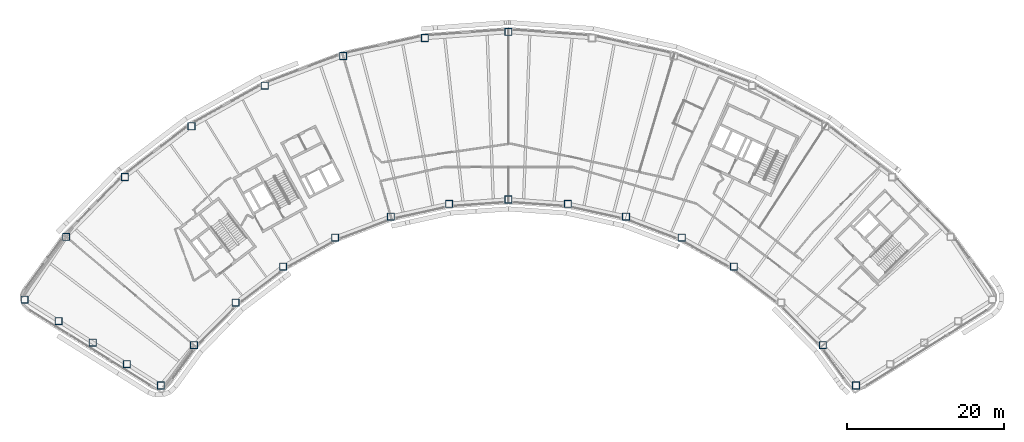
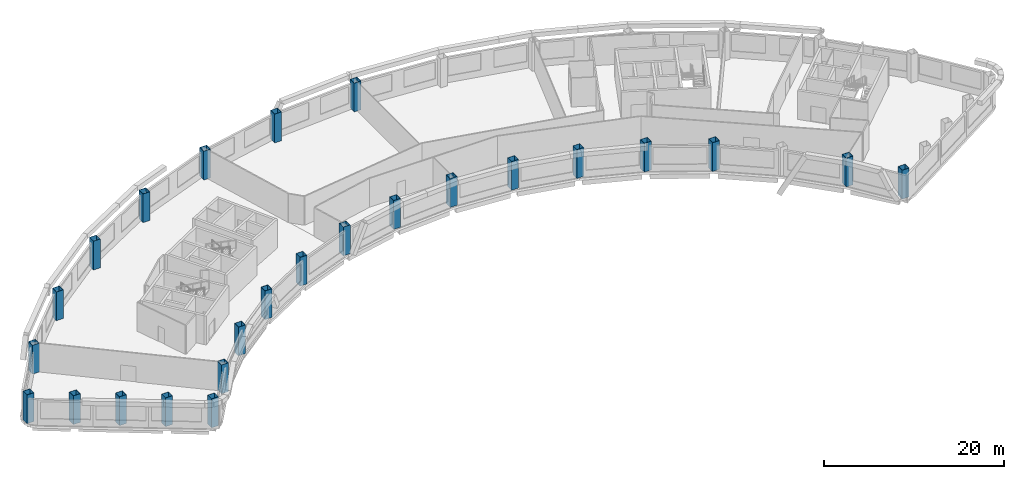
# One storey, part 1 of 12: 25 columns.
"""IFC4 building model written with IfcOpenShell, lengths in metres."""

from ifc_helpers import new_model, si_unit, direction, frame, origin, origin_2d, place, context, subcontext, project, spatial, hollow_rectangle, extrude, material, material_profile, profile_set, type_object, element, save


model = new_model("IFC4")

# Units and contexts
model_context = context("Model", 3, precision=1e-05, world=origin(), true_north=direction((0.0, 1.0)))
body_context = subcontext(model_context, "Body", "Model", "MODEL_VIEW")
ifc_project = project(units=[si_unit("LENGTHUNIT", "METRE"), si_unit("AREAUNIT", "SQUARE_METRE"), si_unit("VOLUMEUNIT", "CUBIC_METRE"), si_unit("PLANEANGLEUNIT", "RADIAN"), si_unit("MASSUNIT", "GRAM", prefix="KILO")], contexts=[model_context])

# Site, building, storey
site_placement = place(None, origin())
site = spatial("IfcSite", under=ifc_project, at=site_placement, CompositionType="ELEMENT")
building_placement = place(site_placement, origin())
building = spatial("IfcBuilding", under=site, at=building_placement, Name="Tuul Gate Civic Tower", CompositionType="ELEMENT")
storey_placement = place(building_placement, frame((0.0, 0.0, 193.10009765625)))
storey = spatial("IfcBuildingStorey", under=building, at=storey_placement, Name="Level 44", CompositionType="ELEMENT", Elevation=193.10009765625)

# Columns
ifc_material = material(Name="Steel S355", Category="steel")
ifc_material_profile = material_profile(ifc_material, hollow_rectangle(XDim=0.89990234375, YDim=0.89990234375, WallThickness=0.031982421875, at=origin_2d()), Name="BOX900x900x32")
ifc_profile_set = profile_set([ifc_material_profile], Name="Steel S355")
column_type = type_object("IfcColumnType", Name="STR-COLUMN-BOX900x900x32", PredefinedType="COLUMN", material=ifc_profile_set)
for number, where, z_axis, x_axis, name in (
    (1, (0.989990234375, 13.615966796875, 0.0), (0.0, 0.0, 1.0), (1.0, 0.0, 0.0), "Column"),
    (2, (-9.659912109375, 12.843994140625, 0.0), (0.0, 0.0, 1.0), (1.0, 0.0, 0.0), "Column"),
    (3, (-20.0869140625, 10.5458984375, 0.0), (0.0, 0.0, 1.0), (1.0, 0.0, 0.0), "Column"),
    (4, (-30.073974609375, 6.77001953125, 0.0), (0.0, 0.0, 1.0), (1.0, 0.0, 0.0), "Column"),
    (5, (-39.412109375, 1.593017578125, 0.0), (0.0, 0.0, 1.0), (1.0, 0.0, 0.0), "Column"),
    (6, (-47.907958984375, -4.875, 0.0), (0.0, 0.0, 1.0), (1.0, 0.0, 0.0), "Column"),
    (7, (-55.382080078125, -12.5, 0.0), (0.0, 0.0, 1.0), (1.0, 0.0, 0.0), "Column"),
    (8, (-60.680908203125, -20.512939453125, 0.0), (0.0, 0.0, 1.0), (1.0, 0.0, 0.0), "Column"),
    (9, (-56.339111328125, -23.2470703125, 0.0), (0.0, 0.0, 1.0), (1.0, 0.0, 0.0), "Column"),
    (10, (-51.99609375, -25.98193359375, 0.0), (0.0, 0.0, 1.0), (1.0, 0.0, 0.0), "Column"),
    (11, (-47.654052734375, -28.716064453125, 0.0), (0.0, 0.0, 1.0), (1.0, 0.0, 0.0), "Column"),
    (12, (-43.31103515625, -31.450927734375, 0.0), (0.0, 0.0, 1.0), (1.0, 0.0, 0.0), "Column"),
    (13, (-39.091064453125, -26.30908203125, 0.0), (0.0, 0.0, 1.0), (1.0, 0.0, 0.0), "Column"),
    (14, (-33.777099609375, -20.886962890625, 0.0), (0.0, 0.0, 1.0), (1.0, 0.0, 0.0), "Column"),
    (15, (-27.737060546875, -16.2880859375, 0.0), (0.0, 0.0, 1.0), (1.0, 0.0, 0.0), "Column"),
    (16, (-21.096923828125, -12.60791015625, 0.0), (0.0, 0.0, 1.0), (1.0, 0.0, 0.0), "Column"),
    (17, (-13.99609375, -9.923095703125, 0.0), (0.0, 0.0, 1.0), (1.0, 0.0, 0.0), "Column"),
    (18, (-6.58203125, -8.2890625, 0.0), (0.0, 0.0, 1.0), (1.0, 0.0, 0.0), "Column"),
    (19, (0.989990234375, -7.739990234375, 0.0), (0.0, 0.0, 1.0), (1.0, 0.0, 0.0), "Column"),
    (20, (8.56201171875, -8.2890625, 0.0), (0.0, 0.0, 1.0), (1.0, 0.0, 0.0), "Column"),
    (21, (15.97607421875, -9.923095703125, 0.0), (0.0, 0.0, 1.0), (1.0, 0.0, 0.0), "Column"),
    (22, (23.076904296875, -12.60791015625, 0.0), (0.0, 0.0, 1.0), (1.0, 0.0, 0.0), "Column"),
    (23, (29.716064453125, -16.2880859375, 0.0), (0.0, 0.0, 1.0), (1.0, 0.0, 0.0), "Column"),
    (24, (41.071044921875, -26.30908203125, 0.0), (0.0, 0.0, 1.0), (1.0, 0.0, 0.0), "Column"),
    (25, (45.291015625, -31.450927734375, 0.0), (0.0, 0.0, 1.0), (1.0, 0.0, 0.0), "Column"),
):
    element("IfcColumn", number, at=place(storey_placement, frame(where, z_axis=z_axis, x_axis=x_axis)), inside=storey, type_object=column_type, Name=name, PredefinedType="COLUMN", context=body_context, shape_type="SweptSolid", body=[
        extrude(hollow_rectangle(XDim=0.89990234375, YDim=0.89990234375, WallThickness=0.031982421875, at=origin_2d()), origin(), (0.0, 0.0, 1.0), 3.89990234375),
    ])

save(model, "model.ifc")
